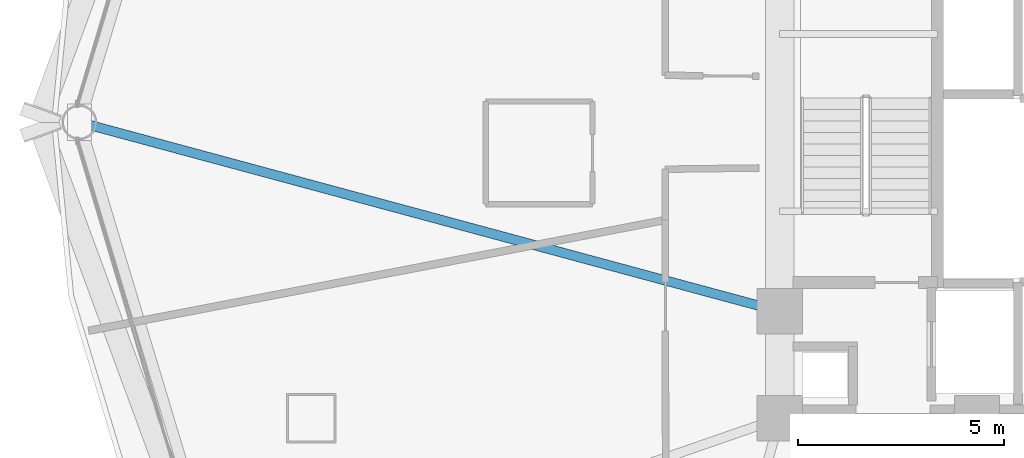
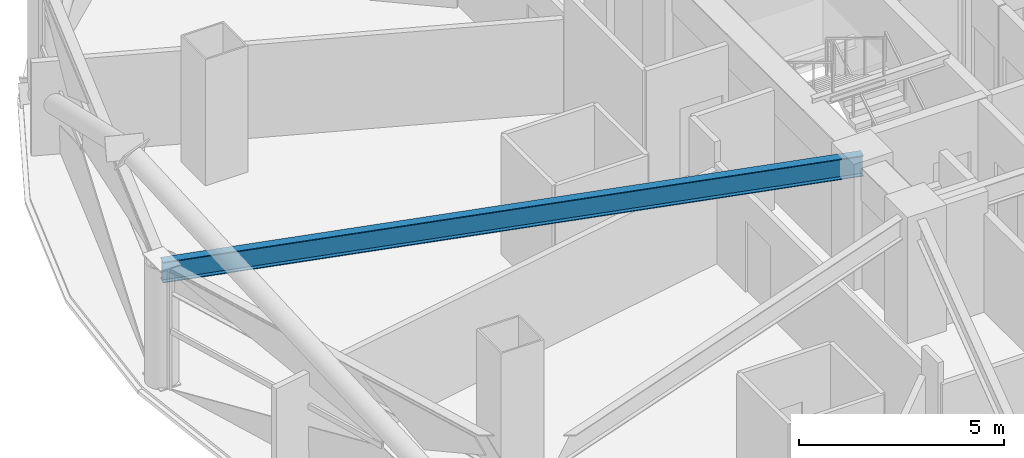
# One storey, part 7 of 30: 1 beam.
"""IFC4 building model written with IfcOpenShell, lengths in metres."""

from ifc_helpers import new_model, si_unit, direction, frame, origin, origin_2d, place, context, subcontext, project, spatial, i_section, extrude, material, material_profile, profile_set, type_object, element, save


model = new_model("IFC4")

# Units and contexts
model_context = context("Model", 3, precision=1e-05, world=origin(), true_north=direction((0.0, 1.0)))
body_context = subcontext(model_context, "Body", "Model", "MODEL_VIEW")
ifc_project = project(units=[si_unit("LENGTHUNIT", "METRE"), si_unit("AREAUNIT", "SQUARE_METRE"), si_unit("VOLUMEUNIT", "CUBIC_METRE"), si_unit("PLANEANGLEUNIT", "RADIAN"), si_unit("MASSUNIT", "GRAM", prefix="KILO")], contexts=[model_context])

# Site, building, storey
site_placement = place(None, origin())
site = spatial("IfcSite", under=ifc_project, at=site_placement, CompositionType="ELEMENT")
building_placement = place(site_placement, origin())
building = spatial("IfcBuilding", under=site, at=building_placement, Name="Vantalir Tower", CompositionType="ELEMENT")
storey_placement = place(building_placement, frame((0.0, 0.0, 49.5)))
storey = spatial("IfcBuildingStorey", under=building, at=storey_placement, Name="L11", CompositionType="ELEMENT", Elevation=49.5)

# Beam
ifc_material = material(Name="Steel S355", Category="steel")
ifc_material_profile = material_profile(ifc_material, i_section(OverallWidth=0.22998046875, OverallDepth=0.616943359375, WebThickness=0.01318359375, FlangeThickness=0.022216796875, at=origin_2d()), Name="Steel S355")
ifc_profile_set = profile_set([ifc_material_profile], Name="Steel S355")
beam_type = type_object("IfcBeamType", Name="BM-RB-610x229", PredefinedType="BEAM", material=ifc_profile_set)
beam_placement = place(storey_placement, frame((4.861083984375, 25.0, 3.261962890625), z_axis=(0.965434547817, -0.260645609749, 0.0), x_axis=(0.260645609749, 0.965434547817, 0.0)))
element("IfcBeam", 1, at=beam_placement, inside=storey, type_object=beam_type, Name="L11 Radial Floor Beam 07", PredefinedType="BEAM", context=body_context, shape_type="SweptSolid", body=[
    extrude(i_section(OverallWidth=0.22998046875, OverallDepth=0.616943359375, WebThickness=0.01318359375, FlangeThickness=0.022216796875, at=origin_2d()), origin(), (0.0, 0.0, 1.0), 17.64892578125),
])

save(model, "model.ifc")
